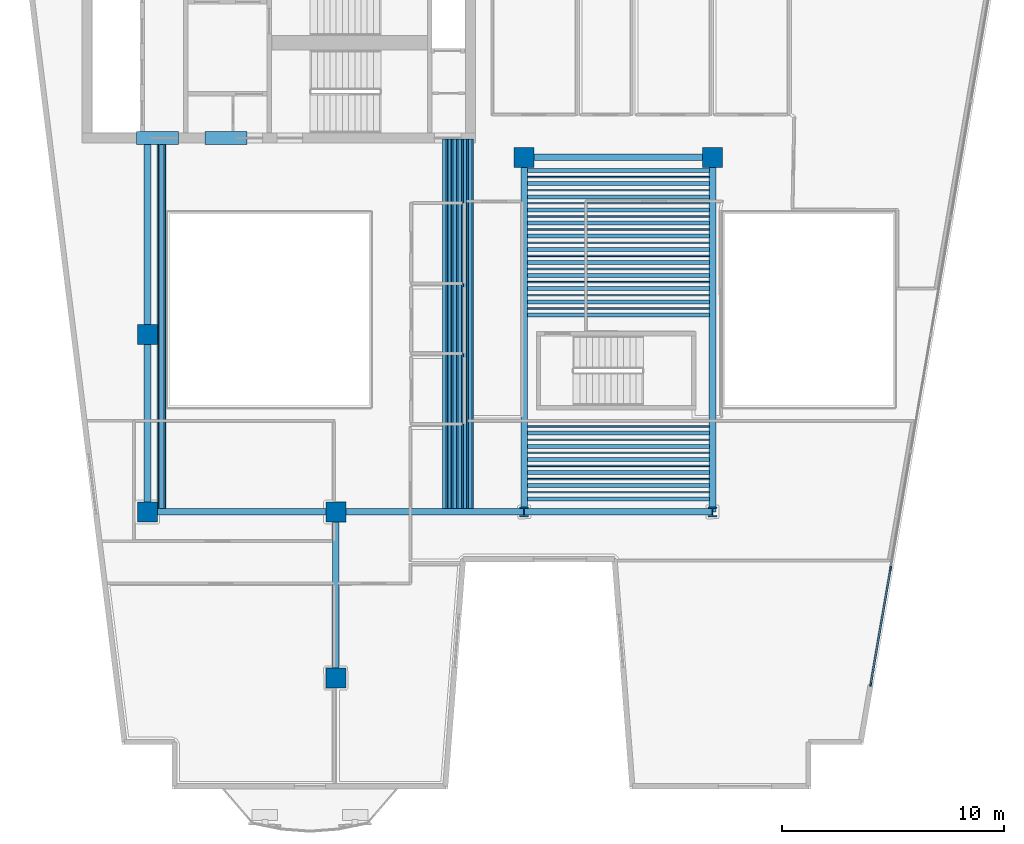
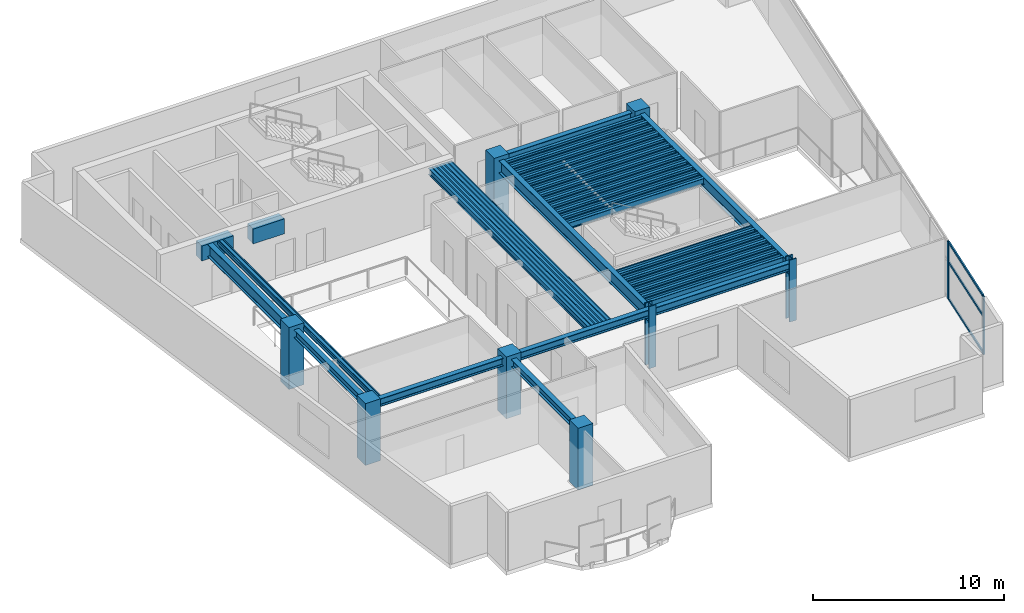
# One storey, part 1 of 9: 61 beams, 8 columns, 5 members, 1 element without a shape of its own.
"""IFC4 building model written with IfcOpenShell, lengths in metres."""

from ifc_helpers import new_model, si_unit, direction, frame, origin, origin_2d, place, context, subcontext, project, spatial, rectangle, hollow_rectangle, i_section, extrude, material, layer, layer_set, material_profile, profile_set, type_object, element, aggregate, save


model = new_model("IFC4")

# Units and contexts
model_context = context("Model", 3, precision=1e-05, world=origin(), true_north=direction((0.0, 1.0)))
body_context = subcontext(model_context, "Body", "Model", "MODEL_VIEW")
ifc_project = project(units=[si_unit("LENGTHUNIT", "METRE"), si_unit("AREAUNIT", "SQUARE_METRE"), si_unit("VOLUMEUNIT", "CUBIC_METRE"), si_unit("PLANEANGLEUNIT", "RADIAN"), si_unit("MASSUNIT", "GRAM", prefix="KILO")], contexts=[model_context])

# Site, building, storey
site_placement = place(None, origin())
site = spatial("IfcSite", under=ifc_project, at=site_placement, CompositionType="ELEMENT")
building_placement = place(site_placement, origin())
building = spatial("IfcBuilding", under=site, at=building_placement, Name="Caeloran Harvest Quay", CompositionType="ELEMENT")
storey_placement = place(building_placement, frame((0.0, 0.0, 231.14990234375)))
storey = spatial("IfcBuildingStorey", under=building, at=storey_placement, Name="L55", CompositionType="ELEMENT", Elevation=231.14990234375)

# Columns
ifc_material_1 = material(Name="Concrete C60/75", Category="concrete")
ifc_material_profile_1 = material_profile(ifc_material_1, rectangle(XDim=0.89990234375, YDim=0.89990234375, at=origin_2d()), Name="RC 900x900")
ifc_profile_set_1 = profile_set([ifc_material_profile_1], Name="Concrete C60/75")
column_type_1 = type_object("IfcColumnType", Name="COL-MC-4-RC_900x900", PredefinedType="COLUMN", material=ifc_profile_set_1)
for number, where, z_axis, x_axis, name in (
    (1, (8.5, 15.0, 0.0), (0.0, 0.0, 1.0), (1.0, 0.0, 0.0), "L55 Structural Column (8.5, 15.0)"),
    (2, (8.5, 23.0, 0.0), (0.0, 0.0, 1.0), (1.0, 0.0, 0.0), "L55 Structural Column (8.5, 23.0)"),
    (3, (17.0, 7.5, 0.0), (0.0, 0.0, 1.0), (1.0, 0.0, 0.0), "L55 Structural Column (17.0, 7.5)"),
    (4, (17.0, 15.0, 0.0), (0.0, 0.0, 1.0), (1.0, 0.0, 0.0), "L55 Structural Column (17.0, 15.0)"),
    (5, (25.5, 31.0, 0.0), (0.0, 0.0, 1.0), (1.0, 0.0, 0.0), "L55 Structural Column (25.5, 31.0)"),
    (6, (34.0, 31.0, 0.0), (0.0, 0.0, 1.0), (1.0, 0.0, 0.0), "L55 Structural Column (34.0, 31.0)"),
):
    element("IfcColumn", number, at=place(storey_placement, frame(where, z_axis=z_axis, x_axis=x_axis)), inside=storey, type_object=column_type_1, Name=name, PredefinedType="COLUMN", context=body_context, shape_type="SweptSolid", body=[
        extrude(rectangle(XDim=0.89990234375, YDim=0.89990234375, at=origin_2d()), origin(), (0.0, 0.0, 1.0), 3.9501953125),
    ])
ifc_material_2 = material(Name="Steel HISTAR 460", Category="steel")
ifc_material_profile_2 = material_profile(ifc_material_2, i_section(OverallWidth=0.416015625, OverallDepth=0.446044921875, WebThickness=0.0390625, FlangeThickness=0.062744140625, FilletRadius=0.014892578125, at=origin_2d()), Name="HD 400x509")
ifc_profile_set_2 = profile_set([ifc_material_profile_2], Name="Steel HISTAR 460")
column_type_2 = type_object("IfcColumnType", Name="COL-SC-4-HD_400x509", PredefinedType="COLUMN", material=ifc_profile_set_2)
for number, where, z_axis, x_axis, name in (
    (7, (25.5, 15.0, 0.0), (0.0, 0.0, 1.0), (1.0, 0.0, 0.0), "L55 Structural Column (25.5, 15.0)"),
    (8, (34.0, 15.0, 0.0), (0.0, 0.0, 1.0), (1.0, 0.0, 0.0), "L55 Structural Column (34.0, 15.0)"),
):
    element("IfcColumn", number, at=place(storey_placement, frame(where, z_axis=z_axis, x_axis=x_axis)), inside=storey, type_object=column_type_2, Name=name, PredefinedType="COLUMN", context=body_context, shape_type="SweptSolid", body=[
        extrude(i_section(OverallWidth=0.416015625, OverallDepth=0.446044921875, WebThickness=0.0390625, FlangeThickness=0.062744140625, FilletRadius=0.014892578125, at=origin_2d()), origin(), (0.0, 0.0, 1.0), 3.9501953125),
    ])

# Beams
ifc_material_profile_3 = material_profile(ifc_material_1, rectangle(XDim=0.60009765625, YDim=0.949951171875, at=origin_2d()), Name="RC 600x950")
ifc_profile_set_3 = profile_set([ifc_material_profile_3], Name="Concrete C60/75")
beam_type_1 = type_object("IfcBeamType", Name="BM-CB-2-RC_600x950", PredefinedType="LINTEL", material=ifc_profile_set_3)
for number, where, z_axis, x_axis, name in (
    (9, (8.0, 31.875, 3.22509765625), (1.0, 0.0, 0.0), (0.0, 1.0, 0.0), "L55 Core Coupling Beam 1"),
    (10, (11.10009765625, 31.875, 3.22509765625), (1.0, 0.0, 0.0), (0.0, 1.0, 0.0), "L55 Core Coupling Beam 2"),
):
    element("IfcBeam", number, at=place(storey_placement, frame(where, z_axis=z_axis, x_axis=x_axis)), inside=storey, type_object=beam_type_1, Name=name, PredefinedType="LINTEL", context=body_context, shape_type="SweptSolid", body=[
        extrude(rectangle(XDim=0.60009765625, YDim=0.949951171875, at=origin_2d()), origin(), (0.0, 0.0, 1.0), 1.89990234375),
    ])
ifc_material_3 = material(Name="Steel S355J2", Category="steel")
ifc_material_profile_4 = material_profile(ifc_material_3, i_section(OverallWidth=0.300048828125, OverallDepth=0.800048828125, WebThickness=0.017578125, FlangeThickness=0.032958984375, FilletRadius=0.030029296875, at=origin_2d()), Name="HE 800 B")
ifc_profile_set_4 = profile_set([ifc_material_profile_4], Name="Steel S355J2")
beam_type_2 = type_object("IfcBeamType", Name="BM-PG-1-HE_800_B", PredefinedType="BEAM", material=ifc_profile_set_4)
beam_1_placement = place(storey_placement, frame((8.5, 23.0, 3.300048828125), z_axis=(0.0, 1.0, 0.0), x_axis=(-1.0, 0.0, 0.0)))
element("IfcBeam", 11, at=beam_1_placement, inside=storey, type_object=beam_type_2, Name="L55 Core South Tie Girder X=8.5", PredefinedType="BEAM", context=body_context, shape_type="SweptSolid", body=[
    extrude(i_section(OverallWidth=0.300048828125, OverallDepth=0.800048828125, WebThickness=0.017578125, FlangeThickness=0.032958984375, FilletRadius=0.030029296875, at=origin_2d()), origin(), (0.0, 0.0, 1.0), 8.824951171875),
])
for number, where, z_axis, x_axis, name in (
    (12, (25.5, 15.0, 3.300048828125), (0.0, 1.0, 0.0), (-1.0, 0.0, 0.0), "L55 Primary North-South Girder X=25.5"),
    (13, (34.0, 15.0, 3.300048828125), (0.0, 1.0, 0.0), (-1.0, 0.0, 0.0), "L55 Primary North-South Girder X=34.0"),
):
    element("IfcBeam", number, at=place(storey_placement, frame(where, z_axis=z_axis, x_axis=x_axis)), inside=storey, type_object=beam_type_2, Name=name, PredefinedType="BEAM", context=body_context, shape_type="SweptSolid", body=[
        extrude(i_section(OverallWidth=0.300048828125, OverallDepth=0.800048828125, WebThickness=0.017578125, FlangeThickness=0.032958984375, FilletRadius=0.030029296875, at=origin_2d()), origin(), (0.0, 0.0, 1.0), 16.0),
    ])
ifc_material_profile_5 = material_profile(ifc_material_3, i_section(OverallWidth=0.300048828125, OverallDepth=0.5, WebThickness=0.014404296875, FlangeThickness=0.028076171875, FilletRadius=0.027099609375, at=origin_2d()), Name="HE 500 B")
ifc_profile_set_5 = profile_set([ifc_material_profile_5], Name="Steel S355J2")
beam_type_3 = type_object("IfcBeamType", Name="BM-PG-4-HE_500_B", PredefinedType="BEAM", material=ifc_profile_set_5)
for number, where, z_axis, x_axis, name in (
    (14, (8.5, 15.0, 3.4501953125), (1.0, 0.0, 0.0), (0.0, 1.0, 0.0), "L55 Primary East-West Girder Y=15.0"),
    (15, (17.0, 15.0, 3.4501953125), (1.0, 0.0, 0.0), (0.0, 1.0, 0.0), "L55 Primary East-West Girder Y=15.0"),
    (16, (25.5, 15.0, 3.4501953125), (1.0, 0.0, 0.0), (0.0, 1.0, 0.0), "L55 Primary East-West Girder Y=15.0"),
    (17, (25.5, 31.0, 3.4501953125), (1.0, 0.0, 0.0), (0.0, 1.0, 0.0), "L55 Primary East-West Girder Y=31.0"),
):
    element("IfcBeam", number, at=place(storey_placement, frame(where, z_axis=z_axis, x_axis=x_axis)), inside=storey, type_object=beam_type_3, Name=name, PredefinedType="BEAM", context=body_context, shape_type="SweptSolid", body=[
        extrude(i_section(OverallWidth=0.300048828125, OverallDepth=0.5, WebThickness=0.014404296875, FlangeThickness=0.028076171875, FilletRadius=0.027099609375, at=origin_2d()), origin(), (0.0, 0.0, 1.0), 8.5),
    ])
beam_2_placement = place(storey_placement, frame((8.5, 15.0, 3.4501953125), z_axis=(0.0, 1.0, 0.0), x_axis=(-1.0, 0.0, 0.0)))
element("IfcBeam", 18, at=beam_2_placement, inside=storey, type_object=beam_type_3, Name="L55 Primary North-South Girder X=8.5", PredefinedType="BEAM", context=body_context, shape_type="SweptSolid", body=[
    extrude(i_section(OverallWidth=0.300048828125, OverallDepth=0.5, WebThickness=0.014404296875, FlangeThickness=0.028076171875, FilletRadius=0.027099609375, at=origin_2d()), origin(), (0.0, 0.0, 1.0), 8.0),
])
beam_3_placement = place(storey_placement, frame((17.0, 7.5, 3.4501953125), z_axis=(0.0, 1.0, 0.0), x_axis=(-1.0, 0.0, 0.0)))
element("IfcBeam", 19, at=beam_3_placement, inside=storey, type_object=beam_type_3, Name="L55 Primary North-South Girder X=17.0", PredefinedType="BEAM", context=body_context, shape_type="SweptSolid", body=[
    extrude(i_section(OverallWidth=0.300048828125, OverallDepth=0.5, WebThickness=0.014404296875, FlangeThickness=0.028076171875, FilletRadius=0.027099609375, at=origin_2d()), origin(), (0.0, 0.0, 1.0), 7.5),
])
ifc_material_profile_6 = material_profile(ifc_material_3, i_section(OverallWidth=0.179931640625, OverallDepth=0.39990234375, WebThickness=0.008544921875, FlangeThickness=0.013427734375, FilletRadius=0.02099609375, at=origin_2d()), Name="IPE 400")
ifc_profile_set_6 = profile_set([ifc_material_profile_6], Name="Steel S355J2")
beam_type_4 = type_object("IfcBeamType", Name="BM-SB-4-IPE_400", PredefinedType="JOIST", material=ifc_profile_set_6)
for number, where, z_axis, x_axis, name in (
    (20, (9.129638671875, 15.14501953125, 3.5), (0.0, 1.0, 0.0), (-1.0, 0.0, 0.0), "L55 Secondary Composite Joist"),
    (21, (21.89990234375, 15.14501953125, 3.5), (0.0, 1.0, 0.0), (-1.0, 0.0, 0.0), "L55 Secondary Composite Joist"),
    (22, (22.13330078125, 15.14501953125, 3.5), (0.0, 1.0, 0.0), (-1.0, 0.0, 0.0), "L55 Secondary Composite Joist"),
    (23, (22.36669921875, 15.14501953125, 3.5), (0.0, 1.0, 0.0), (-1.0, 0.0, 0.0), "L55 Secondary Composite Joist"),
    (24, (22.60009765625, 15.14501953125, 3.5), (0.0, 1.0, 0.0), (-1.0, 0.0, 0.0), "L55 Secondary Composite Joist"),
    (25, (22.833251953125, 15.14501953125, 3.5), (0.0, 1.0, 0.0), (-1.0, 0.0, 0.0), "L55 Secondary Composite Joist"),
    (26, (23.066650390625, 15.14501953125, 3.5), (0.0, 1.0, 0.0), (-1.0, 0.0, 0.0), "L55 Secondary Composite Joist"),
):
    element("IfcBeam", number, at=place(storey_placement, frame(where, z_axis=z_axis, x_axis=x_axis)), inside=storey, type_object=beam_type_4, Name=name, PredefinedType="JOIST", context=body_context, shape_type="SweptSolid", body=[
        extrude(i_section(OverallWidth=0.179931640625, OverallDepth=0.39990234375, WebThickness=0.008544921875, FlangeThickness=0.013427734375, FilletRadius=0.02099609375, at=origin_2d()), origin(), (0.0, 0.0, 1.0), 16.679931640625),
    ])
for number, where, z_axis, x_axis, name in (
    (27, (25.64501953125, 15.592529296875, 3.5), (1.0, 0.0, 0.0), (0.0, 1.0, 0.0), "L55 Secondary East-West Composite Joist"),
    (28, (25.64501953125, 16.185302734375, 3.5), (1.0, 0.0, 0.0), (0.0, 1.0, 0.0), "L55 Secondary East-West Composite Joist"),
    (29, (25.64501953125, 16.77783203125, 3.5), (1.0, 0.0, 0.0), (0.0, 1.0, 0.0), "L55 Secondary East-West Composite Joist"),
    (30, (25.64501953125, 17.370361328125, 3.5), (1.0, 0.0, 0.0), (0.0, 1.0, 0.0), "L55 Secondary East-West Composite Joist"),
    (31, (25.64501953125, 17.962890625, 3.5), (1.0, 0.0, 0.0), (0.0, 1.0, 0.0), "L55 Secondary East-West Composite Joist"),
    (32, (25.64501953125, 18.5556640625, 3.5), (1.0, 0.0, 0.0), (0.0, 1.0, 0.0), "L55 Secondary East-West Composite Joist"),
    (33, (25.64501953125, 23.888916015625, 3.5), (1.0, 0.0, 0.0), (0.0, 1.0, 0.0), "L55 Secondary East-West Composite Joist"),
    (34, (25.64501953125, 24.4814453125, 3.5), (1.0, 0.0, 0.0), (0.0, 1.0, 0.0), "L55 Secondary East-West Composite Joist"),
    (35, (25.64501953125, 25.07421875, 3.5), (1.0, 0.0, 0.0), (0.0, 1.0, 0.0), "L55 Secondary East-West Composite Joist"),
    (36, (25.64501953125, 25.666748046875, 3.5), (1.0, 0.0, 0.0), (0.0, 1.0, 0.0), "L55 Secondary East-West Composite Joist"),
    (37, (25.64501953125, 26.25927734375, 3.5), (1.0, 0.0, 0.0), (0.0, 1.0, 0.0), "L55 Secondary East-West Composite Joist"),
    (38, (25.64501953125, 26.851806640625, 3.5), (1.0, 0.0, 0.0), (0.0, 1.0, 0.0), "L55 Secondary East-West Composite Joist"),
    (39, (25.64501953125, 27.4443359375, 3.5), (1.0, 0.0, 0.0), (0.0, 1.0, 0.0), "L55 Secondary East-West Composite Joist"),
    (40, (25.64501953125, 28.037109375, 3.5), (1.0, 0.0, 0.0), (0.0, 1.0, 0.0), "L55 Secondary East-West Composite Joist"),
    (41, (25.64501953125, 28.629638671875, 3.5), (1.0, 0.0, 0.0), (0.0, 1.0, 0.0), "L55 Secondary East-West Composite Joist"),
    (42, (25.64501953125, 29.22216796875, 3.5), (1.0, 0.0, 0.0), (0.0, 1.0, 0.0), "L55 Secondary East-West Composite Joist"),
    (43, (25.64501953125, 29.814697265625, 3.5), (1.0, 0.0, 0.0), (0.0, 1.0, 0.0), "L55 Secondary East-West Composite Joist"),
    (44, (25.64501953125, 30.407470703125, 3.5), (1.0, 0.0, 0.0), (0.0, 1.0, 0.0), "L55 Secondary East-West Composite Joist"),
):
    element("IfcBeam", number, at=place(storey_placement, frame(where, z_axis=z_axis, x_axis=x_axis)), inside=storey, type_object=beam_type_4, Name=name, PredefinedType="JOIST", context=body_context, shape_type="SweptSolid", body=[
        extrude(i_section(OverallWidth=0.179931640625, OverallDepth=0.39990234375, WebThickness=0.008544921875, FlangeThickness=0.013427734375, FilletRadius=0.02099609375, at=origin_2d()), origin(), (0.0, 0.0, 1.0), 8.2099609375),
    ])
ifc_material_profile_7 = material_profile(ifc_material_3, hollow_rectangle(XDim=0.080078125, YDim=0.199951171875, WallThickness=0.006103515625, InnerFilletRadius=0.006103515625, OuterFilletRadius=0.009033203125, at=origin_2d()), Name="RHS 200x80x6")
ifc_profile_set_7 = profile_set([ifc_material_profile_7], Name="Steel S355J2")
beam_type_5 = type_object("IfcBeamType", Name="BM-SB-7-RHS_200x80x6", PredefinedType="JOIST", material=ifc_profile_set_7)
for number, where, z_axis, x_axis, name in (
    (45, (8.97216796875, 15.14501953125, 3.60009765625), (0.0, 1.0, 0.0), (-1.0, 0.0, 0.0), "L55 Secondary Composite Joist"),
    (46, (9.287109375, 15.14501953125, 3.60009765625), (0.0, 1.0, 0.0), (-1.0, 0.0, 0.0), "L55 Secondary Composite Joist"),
    (47, (22.0166015625, 15.14501953125, 3.60009765625), (0.0, 1.0, 0.0), (-1.0, 0.0, 0.0), "L55 Secondary Composite Joist"),
    (48, (22.25, 15.14501953125, 3.60009765625), (0.0, 1.0, 0.0), (-1.0, 0.0, 0.0), "L55 Secondary Composite Joist"),
    (49, (22.4833984375, 15.14501953125, 3.60009765625), (0.0, 1.0, 0.0), (-1.0, 0.0, 0.0), "L55 Secondary Composite Joist"),
    (50, (22.716796875, 15.14501953125, 3.60009765625), (0.0, 1.0, 0.0), (-1.0, 0.0, 0.0), "L55 Secondary Composite Joist"),
    (51, (22.949951171875, 15.14501953125, 3.60009765625), (0.0, 1.0, 0.0), (-1.0, 0.0, 0.0), "L55 Secondary Composite Joist"),
    (52, (23.183349609375, 15.14501953125, 3.60009765625), (0.0, 1.0, 0.0), (-1.0, 0.0, 0.0), "L55 Secondary Composite Joist"),
):
    element("IfcBeam", number, at=place(storey_placement, frame(where, z_axis=z_axis, x_axis=x_axis)), inside=storey, type_object=beam_type_5, Name=name, PredefinedType="JOIST", context=body_context, shape_type="SweptSolid", body=[
        extrude(hollow_rectangle(XDim=0.080078125, YDim=0.199951171875, WallThickness=0.006103515625, InnerFilletRadius=0.006103515625, OuterFilletRadius=0.009033203125, at=origin_2d()), origin(), (0.0, 0.0, 1.0), 16.679931640625),
    ])
for number, where, z_axis, x_axis, name in (
    (53, (25.64501953125, 15.888916015625, 3.60009765625), (1.0, 0.0, 0.0), (0.0, 1.0, 0.0), "L55 Secondary East-West Composite Joist"),
    (54, (25.64501953125, 16.4814453125, 3.60009765625), (1.0, 0.0, 0.0), (0.0, 1.0, 0.0), "L55 Secondary East-West Composite Joist"),
    (55, (25.64501953125, 17.07421875, 3.60009765625), (1.0, 0.0, 0.0), (0.0, 1.0, 0.0), "L55 Secondary East-West Composite Joist"),
    (56, (25.64501953125, 17.666748046875, 3.60009765625), (1.0, 0.0, 0.0), (0.0, 1.0, 0.0), "L55 Secondary East-West Composite Joist"),
    (57, (25.64501953125, 18.25927734375, 3.60009765625), (1.0, 0.0, 0.0), (0.0, 1.0, 0.0), "L55 Secondary East-West Composite Joist"),
    (58, (25.64501953125, 18.851806640625, 3.60009765625), (1.0, 0.0, 0.0), (0.0, 1.0, 0.0), "L55 Secondary East-West Composite Joist"),
    (59, (25.64501953125, 24.185302734375, 3.60009765625), (1.0, 0.0, 0.0), (0.0, 1.0, 0.0), "L55 Secondary East-West Composite Joist"),
    (60, (25.64501953125, 24.77783203125, 3.60009765625), (1.0, 0.0, 0.0), (0.0, 1.0, 0.0), "L55 Secondary East-West Composite Joist"),
    (61, (25.64501953125, 25.370361328125, 3.60009765625), (1.0, 0.0, 0.0), (0.0, 1.0, 0.0), "L55 Secondary East-West Composite Joist"),
    (62, (25.64501953125, 25.962890625, 3.60009765625), (1.0, 0.0, 0.0), (0.0, 1.0, 0.0), "L55 Secondary East-West Composite Joist"),
    (63, (25.64501953125, 26.5556640625, 3.60009765625), (1.0, 0.0, 0.0), (0.0, 1.0, 0.0), "L55 Secondary East-West Composite Joist"),
    (64, (25.64501953125, 27.148193359375, 3.60009765625), (1.0, 0.0, 0.0), (0.0, 1.0, 0.0), "L55 Secondary East-West Composite Joist"),
    (65, (25.64501953125, 27.74072265625, 3.60009765625), (1.0, 0.0, 0.0), (0.0, 1.0, 0.0), "L55 Secondary East-West Composite Joist"),
    (66, (25.64501953125, 28.333251953125, 3.60009765625), (1.0, 0.0, 0.0), (0.0, 1.0, 0.0), "L55 Secondary East-West Composite Joist"),
    (67, (25.64501953125, 28.92578125, 3.60009765625), (1.0, 0.0, 0.0), (0.0, 1.0, 0.0), "L55 Secondary East-West Composite Joist"),
    (68, (25.64501953125, 29.5185546875, 3.60009765625), (1.0, 0.0, 0.0), (0.0, 1.0, 0.0), "L55 Secondary East-West Composite Joist"),
    (69, (25.64501953125, 30.111083984375, 3.60009765625), (1.0, 0.0, 0.0), (0.0, 1.0, 0.0), "L55 Secondary East-West Composite Joist"),
):
    element("IfcBeam", number, at=place(storey_placement, frame(where, z_axis=z_axis, x_axis=x_axis)), inside=storey, type_object=beam_type_5, Name=name, PredefinedType="JOIST", context=body_context, shape_type="SweptSolid", body=[
        extrude(hollow_rectangle(XDim=0.080078125, YDim=0.199951171875, WallThickness=0.006103515625, InnerFilletRadius=0.006103515625, OuterFilletRadius=0.009033203125, at=origin_2d()), origin(), (0.0, 0.0, 1.0), 8.2099609375),
    ])

# Curtain wall, members
ifc_material_4 = material(Name="Aluminium 6063-T6 and Low-E Glazing", Category="aluminium")
ifc_layer = layer(ifc_material_4, 0.2099609375, Name="Aluminium 6063-T6 and Low-E Glazing")
ifc_layer_set = layer_set([ifc_layer], Name="Aluminium 6063-T6 and Low-E Glazing")
curtain_wall_type = type_object("IfcCurtainWallType", Name="CW-SYS-CW-4", PredefinedType="USERDEFINED", material=ifc_layer_set)
curtain_wall_placement = place(storey_placement, origin())
curtain_wall = element("IfcCurtainWall", 70, at=curtain_wall_placement, inside=storey, type_object=curtain_wall_type, Name="L55 Unitised Curtain Wall CW-4 Run 9", ObjectType="CURTAIN_WALL", PredefinedType="USERDEFINED")
ifc_material_5 = material(Name="Aluminium 6063-T6", Category="aluminium")
ifc_material_profile_8 = material_profile(ifc_material_5, rectangle(XDim=0.080078125, YDim=0.179931640625, at=origin_2d()), Name="CW-MULLION-180")
ifc_profile_set_8 = profile_set([ifc_material_profile_8], Name="Aluminium 6063-T6")
member_type_1 = type_object("IfcMemberType", Name="CW-MULLION-180", PredefinedType="MULLION", material=ifc_profile_set_8)
member_1_placement = place(storey_placement, frame((42.042236328125, 12.454833984375, 0.0), z_axis=(0.0, 0.0, 1.0), x_axis=(0.985548890759, -0.169391215605, 0.0)))
member_1 = element("IfcMember", 71, at=member_1_placement, type_object=member_type_1, Name="CW-4 mullion 6", PredefinedType="MULLION", context=body_context, shape_type="SweptSolid", body=[
    extrude(rectangle(XDim=0.080078125, YDim=0.179931640625, at=origin_2d()), origin(), (0.0, 0.0, 1.0), 3.7001953125),
])
member_2_placement = place(storey_placement, frame((41.142822265625, 7.221923828125, 0.0), z_axis=(0.0, 0.0, 1.0), x_axis=(0.985548890759, -0.169391215605, 0.0)))
member_2 = element("IfcMember", 72, at=member_2_placement, type_object=member_type_1, Name="CW-4 mullion 7", PredefinedType="MULLION", context=body_context, shape_type="SweptSolid", body=[
    extrude(rectangle(XDim=0.080078125, YDim=0.179931640625, at=origin_2d()), origin(), (0.0, 0.0, 1.0), 3.7001953125),
])
ifc_material_profile_9 = material_profile(ifc_material_5, rectangle(XDim=0.080078125, YDim=0.14990234375, at=origin_2d()), Name="CW-TRANSOM-150")
ifc_profile_set_9 = profile_set([ifc_material_profile_9], Name="Aluminium 6063-T6")
member_type_2 = type_object("IfcMemberType", Name="CW-TRANSOM-150", PredefinedType="USERDEFINED", material=ifc_profile_set_9)
member_3_placement = place(storey_placement, frame((42.03564453125, 12.41552734375, 0.0400390625), z_axis=(-0.169408218949, -0.985545968158, 0.0), x_axis=(0.985545968158, -0.169408218949, 0.0)))
member_3 = element("IfcMember", 73, at=member_3_placement, type_object=member_type_2, Name="CW-4 transom 6.1", ObjectType="TRANSOM", PredefinedType="USERDEFINED", context=body_context, shape_type="SweptSolid", body=[
    extrude(rectangle(XDim=0.080078125, YDim=0.14990234375, at=origin_2d()), origin(), (0.0, 0.0, 1.0), 5.22998046875),
])
member_4_placement = place(storey_placement, frame((42.03564453125, 12.41552734375, 2.400146484375), z_axis=(-0.169408218949, -0.985545968158, 0.0), x_axis=(0.985545968158, -0.169408218949, 0.0)))
member_4 = element("IfcMember", 74, at=member_4_placement, type_object=member_type_2, Name="CW-4 transom 6.2", ObjectType="TRANSOM", PredefinedType="USERDEFINED", context=body_context, shape_type="SweptSolid", body=[
    extrude(rectangle(XDim=0.080078125, YDim=0.14990234375, at=origin_2d()), origin(), (0.0, 0.0, 1.0), 5.22998046875),
])
member_5_placement = place(storey_placement, frame((42.03564453125, 12.41552734375, 3.66015625), z_axis=(-0.169408218949, -0.985545968158, 0.0), x_axis=(0.985545968158, -0.169408218949, 0.0)))
member_5 = element("IfcMember", 75, at=member_5_placement, type_object=member_type_2, Name="CW-4 transom 6.3", ObjectType="TRANSOM", PredefinedType="USERDEFINED", context=body_context, shape_type="SweptSolid", body=[
    extrude(rectangle(XDim=0.080078125, YDim=0.14990234375, at=origin_2d()), origin(), (0.0, 0.0, 1.0), 5.22998046875),
])
aggregate(curtain_wall, [member_1, member_2, member_3, member_4, member_5])

save(model, "model.ifc")
